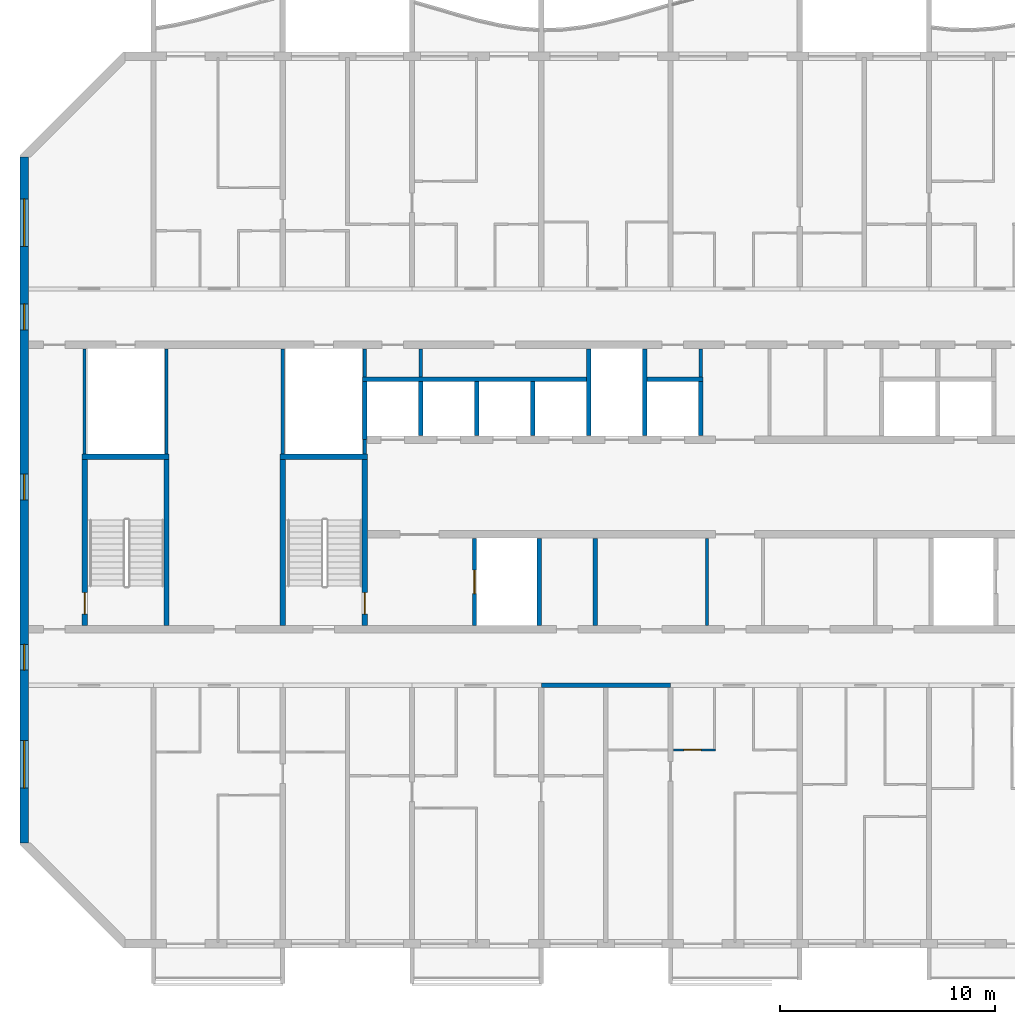
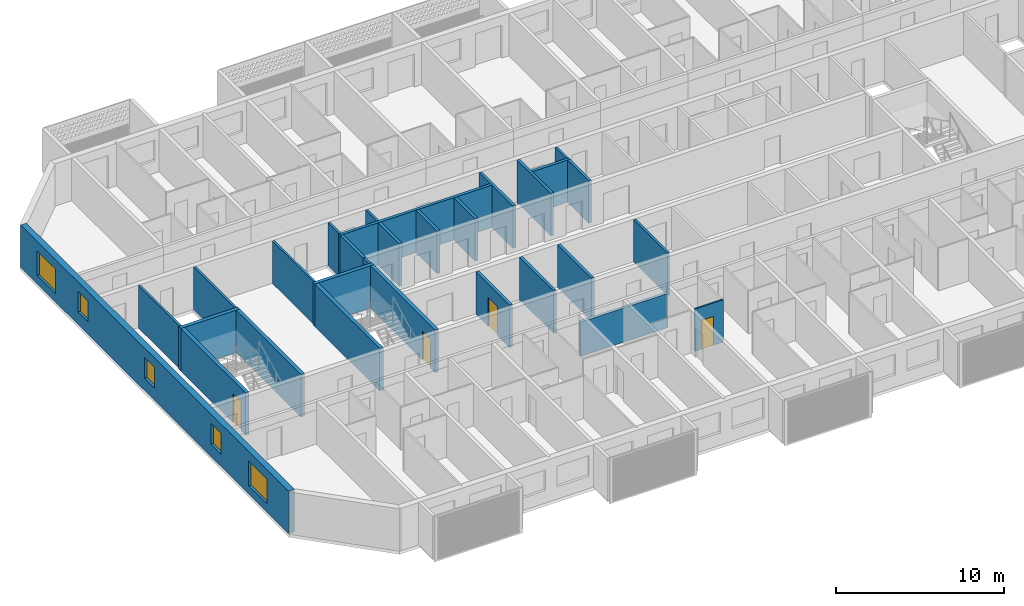
# One storey, part 3 of 29: 29 walls, 5 windows, 4 doors, 9 openings.
"""IFC4 building model written with IfcOpenShell, lengths in metres."""

from ifc_helpers import new_model, si_unit, direction, frame, frame_2d, origin, place, context, subcontext, project, spatial, rectangle, extrude, material, layer, layer_set, type_object, element, fill, save


model = new_model("IFC4")

# Units and contexts
model_context = context("Model", 3, precision=1e-05, world=origin(), true_north=direction((0.0, 1.0)))
body_context = subcontext(model_context, "Body", "Model", "MODEL_VIEW")
ifc_project = project(units=[si_unit("LENGTHUNIT", "METRE"), si_unit("AREAUNIT", "SQUARE_METRE"), si_unit("VOLUMEUNIT", "CUBIC_METRE"), si_unit("PLANEANGLEUNIT", "RADIAN"), si_unit("MASSUNIT", "GRAM", prefix="KILO")], contexts=[model_context])

# Site, building, storey
site_placement = place(None, origin())
site = spatial("IfcSite", under=ifc_project, at=site_placement, CompositionType="ELEMENT")
building_placement = place(site_placement, origin())
building = spatial("IfcBuilding", under=site, at=building_placement, Name="Poui Terraces", CompositionType="ELEMENT")
storey_placement = place(building_placement, frame((0.0, 0.0, 231.300048828125)))
storey = spatial("IfcBuildingStorey", under=building, at=storey_placement, Name="L64", CompositionType="ELEMENT", Elevation=231.300048828125)

# Walls
ifc_material_1 = material(Name="Fire-rated plasterboard wall")
ifc_layer_1 = layer(ifc_material_1, 0.14990234375)
ifc_layer_set_1 = layer_set([ifc_layer_1], Name="Fire-rated plasterboard wall")
wall_type_1 = type_object("IfcWallType", Name="CORRIDOR WALL 150", PredefinedType="PARTITIONING", material=ifc_layer_set_1)
wall_1_placement = place(storey_placement, frame((49.39990234375, 26.300048828125, 0.0), z_axis=(0.0, 0.0, 1.0), x_axis=(0.0, 1.0, 0.0)))
element("IfcWall", 1, at=wall_1_placement, inside=storey, type_object=wall_type_1, Name="CORRIDOR WALL 150", PredefinedType="PARTITIONING", context=body_context, shape_type="SweptSolid", body=[
    extrude(rectangle(XDim=1.31494140625, YDim=0.14990234375, at=frame_2d((0.657470703125, 0.0))), origin(), (0.0, 0.0, 1.0), 3.079833984375),
])
wall_2_placement = place(storey_placement, frame((49.699951171875, 14.784912109375, 0.0), z_axis=(0.0, 0.0, 1.0), x_axis=(0.0, 1.0, 0.0)))
element("IfcWall", 2, at=wall_2_placement, inside=storey, type_object=wall_type_1, Name="CORRIDOR WALL 150", PredefinedType="PARTITIONING", context=body_context, shape_type="SweptSolid", body=[
    extrude(rectangle(XDim=4.030029296875, YDim=0.14990234375, at=frame_2d((2.01513671875, 0.0))), origin(), (0.0, 0.0, 1.0), 3.079833984375),
])
ifc_material_2 = material(Name="Concrete 50 MPa", Category="concrete")
ifc_layer_2 = layer(ifc_material_2, 0.199951171875)
ifc_layer_set_2 = layer_set([ifc_layer_2], Name="Concrete 50 MPa")
wall_type_2 = type_object("IfcWallType", Name="CORRIDOR WALL 200 50MPa", PredefinedType="SHEAR", material=ifc_layer_set_2)
wall_3_placement = place(storey_placement, frame((42.0, 12.0, 0.0), z_axis=(0.0, 0.0, 1.0), x_axis=(1.0, 0.0, 0.0)))
element("IfcWall", 3, at=wall_3_placement, inside=storey, type_object=wall_type_2, Name="CORRIDOR WALL LINE B BAY 5", PredefinedType="SHEAR", context=body_context, shape_type="SweptSolid", body=[
    extrude(rectangle(XDim=6.0, YDim=0.199951171875, at=frame_2d((3.0, 0.0))), origin(), (0.0, 0.0, 1.0), 2.47998046875),
])

# Wall, openings, windows
ifc_layer_3 = layer(ifc_material_2, 0.39990234375)
ifc_layer_set_3 = layer_set([ifc_layer_3], Name="Concrete 50 MPa")
wall_type_3 = type_object("IfcWallType", Name="END WALL 400 50MPa", PredefinedType="SHEAR", material=ifc_layer_set_3)
wall_4_placement = place(storey_placement, frame((18.0, 4.682861328125, 0.0), z_axis=(0.0, 0.0, 1.0), x_axis=(0.0, 1.0, 0.0)))
wall_4 = element("IfcWall", 4, at=wall_4_placement, inside=storey, type_object=wall_type_3, Name="END WALL WEST", PredefinedType="SHEAR", context=body_context, shape_type="SweptSolid", body=[
    extrude(rectangle(XDim=31.834228515625, YDim=0.39990234375, at=frame_2d((15.9169921875, 0.0))), origin(), (0.0, 0.0, 1.0), 3.079833984375),
])
opening_1_placement = place(wall_4_placement, frame((23.817138671875, 0.0, 0.89990234375)))
opening_1 = element("IfcOpeningElement", 5, at=opening_1_placement, cuts=wall_4, Name="Opening W2", PredefinedType="OPENING", context=body_context, shape_type="SweptSolid", body=[
    extrude(rectangle(XDim=1.199951171875, YDim=1.5, at=frame_2d((0.60009765625, 0.75))), frame((0.0, 0.2099609375, 0.0), z_axis=(0.0, -1.0, 0.0), x_axis=(1.0, 0.0, 0.0)), (0.0, 0.0, 1.0), 0.419921875),
])
opening_2_placement = place(wall_4_placement, frame((8.01708984375, 0.0, 0.89990234375)))
opening_2 = element("IfcOpeningElement", 6, at=opening_2_placement, cuts=wall_4, Name="Opening W2", PredefinedType="OPENING", context=body_context, shape_type="SweptSolid", body=[
    extrude(rectangle(XDim=1.199951171875, YDim=1.5, at=frame_2d((0.60009765625, 0.75))), frame((0.0, 0.2099609375, 0.0), z_axis=(0.0, -1.0, 0.0), x_axis=(1.0, 0.0, 0.0)), (0.0, 0.0, 1.0), 0.419921875),
])
opening_3_placement = place(wall_4_placement, frame((27.693603515625, 0.0, 0.60009765625)))
opening_3 = element("IfcOpeningElement", 7, at=opening_3_placement, cuts=wall_4, Name="Opening W3", PredefinedType="OPENING", context=body_context, shape_type="SweptSolid", body=[
    extrude(rectangle(XDim=2.199951171875, YDim=1.800048828125, at=frame_2d((1.10009765625, 0.89990234375))), frame((0.0, 0.2099609375, 0.0), z_axis=(0.0, -1.0, 0.0), x_axis=(1.0, 0.0, 0.0)), (0.0, 0.0, 1.0), 0.419921875),
])
opening_4_placement = place(wall_4_placement, frame((2.541015625, 0.0, 0.60009765625)))
opening_4 = element("IfcOpeningElement", 8, at=opening_4_placement, cuts=wall_4, Name="Opening W3", PredefinedType="OPENING", context=body_context, shape_type="SweptSolid", body=[
    extrude(rectangle(XDim=2.199951171875, YDim=1.800048828125, at=frame_2d((1.10009765625, 0.89990234375))), frame((0.0, 0.2099609375, 0.0), z_axis=(0.0, -1.0, 0.0), x_axis=(1.0, 0.0, 0.0)), (0.0, 0.0, 1.0), 0.419921875),
])
opening_5_placement = place(wall_4_placement, frame((15.917236328125, 0.0, 0.89990234375)))
opening_5 = element("IfcOpeningElement", 9, at=opening_5_placement, cuts=wall_4, Name="Opening W2", PredefinedType="OPENING", context=body_context, shape_type="SweptSolid", body=[
    extrude(rectangle(XDim=1.199951171875, YDim=1.5, at=frame_2d((0.60009765625, 0.75))), frame((0.0, 0.2099609375, 0.0), z_axis=(0.0, -1.0, 0.0), x_axis=(1.0, 0.0, 0.0)), (0.0, 0.0, 1.0), 0.419921875),
])
ifc_material_3 = material(Name="Clear glass in aluminium frame", Category="aluminium")
window_type_1 = type_object("IfcWindowType", Name="WINDOW 1200X1500", PartitioningType="SINGLE_PANEL", PredefinedType="WINDOW", material=ifc_material_3)
window_1_placement = place(opening_1_placement, origin())
window_1 = element("IfcWindow", 10, at=window_1_placement, inside=storey, type_object=window_type_1, Name="W2 WINDOW", OverallHeight=1.5, OverallWidth=1.199951171875, PartitioningType="SINGLE_PANEL", PredefinedType="WINDOW", context=body_context, shape_type="SweptSolid", body=[
    extrude(rectangle(XDim=1.199951171875, YDim=1.5, at=frame_2d((0.60009765625, 0.75))), frame((0.0, 0.030029296875, 0.0), z_axis=(0.0, -1.0, 0.0), x_axis=(1.0, 0.0, 0.0)), (0.0, 0.0, 1.0), 0.06005859375),
])
fill(opening_1, window_1)
window_2_placement = place(opening_2_placement, origin())
window_2 = element("IfcWindow", 11, at=window_2_placement, inside=storey, type_object=window_type_1, Name="W2 WINDOW", OverallHeight=1.5, OverallWidth=1.199951171875, PartitioningType="SINGLE_PANEL", PredefinedType="WINDOW", context=body_context, shape_type="SweptSolid", body=[
    extrude(rectangle(XDim=1.199951171875, YDim=1.5, at=frame_2d((0.60009765625, 0.75))), frame((0.0, 0.030029296875, 0.0), z_axis=(0.0, -1.0, 0.0), x_axis=(1.0, 0.0, 0.0)), (0.0, 0.0, 1.0), 0.06005859375),
])
fill(opening_2, window_2)
window_3_placement = place(opening_5_placement, origin())
window_3 = element("IfcWindow", 12, at=window_3_placement, inside=storey, type_object=window_type_1, Name="W2 WINDOW", OverallHeight=1.5, OverallWidth=1.199951171875, PartitioningType="SINGLE_PANEL", PredefinedType="WINDOW", context=body_context, shape_type="SweptSolid", body=[
    extrude(rectangle(XDim=1.199951171875, YDim=1.5, at=frame_2d((0.60009765625, 0.75))), frame((0.0, 0.030029296875, 0.0), z_axis=(0.0, -1.0, 0.0), x_axis=(1.0, 0.0, 0.0)), (0.0, 0.0, 1.0), 0.06005859375),
])
fill(opening_5, window_3)
window_type_2 = type_object("IfcWindowType", Name="WINDOW 2200X1800", PartitioningType="DOUBLE_PANEL_HORIZONTAL", PredefinedType="WINDOW", material=ifc_material_3)
window_4_placement = place(opening_3_placement, origin())
window_4 = element("IfcWindow", 13, at=window_4_placement, inside=storey, type_object=window_type_2, Name="W3 WINDOW", OverallHeight=1.800048828125, OverallWidth=2.199951171875, PartitioningType="DOUBLE_PANEL_HORIZONTAL", PredefinedType="WINDOW", context=body_context, shape_type="SweptSolid", body=[
    extrude(rectangle(XDim=2.199951171875, YDim=1.800048828125, at=frame_2d((1.10009765625, 0.89990234375))), frame((0.0, 0.030029296875, 0.0), z_axis=(0.0, -1.0, 0.0), x_axis=(1.0, 0.0, 0.0)), (0.0, 0.0, 1.0), 0.06005859375),
])
fill(opening_3, window_4)
window_5_placement = place(opening_4_placement, origin())
window_5 = element("IfcWindow", 14, at=window_5_placement, inside=storey, type_object=window_type_2, Name="W3 WINDOW", OverallHeight=1.800048828125, OverallWidth=2.199951171875, PartitioningType="DOUBLE_PANEL_HORIZONTAL", PredefinedType="WINDOW", context=body_context, shape_type="SweptSolid", body=[
    extrude(rectangle(XDim=2.199951171875, YDim=1.800048828125, at=frame_2d((1.10009765625, 0.89990234375))), frame((0.0, 0.030029296875, 0.0), z_axis=(0.0, -1.0, 0.0), x_axis=(1.0, 0.0, 0.0)), (0.0, 0.0, 1.0), 0.06005859375),
])
fill(opening_4, window_5)

# Wall, opening, door
ifc_material_4 = material(Name="Plasterboard partition")
ifc_layer_4 = layer(ifc_material_4, 0.10009765625)
ifc_layer_set_4 = layer_set([ifc_layer_4], Name="Plasterboard partition")
wall_type_4 = type_object("IfcWallType", Name="FLAT PARTITION 100", PredefinedType="PARTITIONING", material=ifc_layer_set_4)
wall_5_placement = place(storey_placement, frame((48.135009765625, 9.0, 0.0), z_axis=(0.0, 0.0, 1.0), x_axis=(1.0, 0.0, 0.0)))
wall_5 = element("IfcWall", 15, at=wall_5_placement, inside=storey, type_object=wall_type_4, Name="FLAT PARTITION 100", PredefinedType="PARTITIONING", context=body_context, shape_type="SweptSolid", body=[
    extrude(rectangle(XDim=1.965087890625, YDim=0.10009765625, at=frame_2d((0.982421875, 0.0))), origin(), (0.0, 0.0, 1.0), 3.079833984375),
])
opening_6_placement = place(wall_5_placement, frame((0.489990234375, 0.0, 0.0)))
opening_6 = element("IfcOpeningElement", 16, at=opening_6_placement, cuts=wall_5, Name="Opening D80", PredefinedType="OPENING", context=body_context, shape_type="SweptSolid", body=[
    extrude(rectangle(XDim=0.800048828125, YDim=2.10009765625, at=frame_2d((0.39990234375, 1.050048828125))), frame((0.0, 0.06005859375, 0.0), z_axis=(0.0, -1.0, 0.0), x_axis=(1.0, 0.0, 0.0)), (0.0, 0.0, 1.0), 0.1201171875),
])
ifc_material_5 = material(Name="Solid core timber door", Category="wood")
door_type_1 = type_object("IfcDoorType", Name="BATHROOM, LAUNDRY AND STORE DOOR 800 X 2100", OperationType="NOTDEFINED", PredefinedType="DOOR", material=ifc_material_5)
door_1_placement = place(opening_6_placement, origin())
door_1 = element("IfcDoor", 17, at=door_1_placement, inside=storey, type_object=door_type_1, Name="BATHROOM, LAUNDRY AND STORE DOOR 080", OperationType="SINGLE_SWING_RIGHT", OverallHeight=2.10009765625, OverallWidth=0.800048828125, PredefinedType="DOOR", context=body_context, shape_type="SweptSolid", body=[
    extrude(rectangle(XDim=0.800048828125, YDim=2.10009765625, at=frame_2d((0.39990234375, 1.050048828125))), frame((0.0, 0.02490234375, 0.0), z_axis=(0.0, -1.0, 0.0), x_axis=(1.0, 0.0, 0.0)), (0.0, 0.0, 1.0), 0.050048828125),
])
fill(opening_6, door_1)

# Walls
ifc_layer_5 = layer(ifc_material_4, 0.14990234375)
ifc_layer_set_5 = layer_set([ifc_layer_5], Name="Plasterboard partition")
wall_type_5 = type_object("IfcWallType", Name="PARTITION WALL 150", PredefinedType="PARTITIONING", material=ifc_layer_set_5)
wall_6_placement = place(storey_placement, frame((36.39990234375, 26.300048828125, 0.0), z_axis=(0.0, 0.0, 1.0), x_axis=(0.0, 1.0, 0.0)))
element("IfcWall", 18, at=wall_6_placement, inside=storey, type_object=wall_type_5, Name="PARTITION WALL 150", PredefinedType="PARTITIONING", context=body_context, shape_type="SweptSolid", body=[
    extrude(rectangle(XDim=1.31494140625, YDim=0.14990234375, at=frame_2d((0.657470703125, 0.0))), origin(), (0.0, 0.0, 1.0), 3.079833984375),
])
ifc_material_6 = material(Name="Fire-rated masonry wall", Category="masonry")
ifc_layer_6 = layer(ifc_material_6, 0.199951171875)
ifc_layer_set_6 = layer_set([ifc_layer_6], Name="Fire-rated masonry wall")
wall_type_6 = type_object("IfcWallType", Name="PLANT ROOM WALL 200", PredefinedType="PARTITIONING", material=ifc_layer_set_6)
wall_7_placement = place(storey_placement, frame((44.5, 14.784912109375, 0.0), z_axis=(0.0, 0.0, 1.0), x_axis=(0.0, 1.0, 0.0)))
element("IfcWall", 19, at=wall_7_placement, inside=storey, type_object=wall_type_6, Name="PLANT ROOM WALL 200", PredefinedType="PARTITIONING", context=body_context, shape_type="SweptSolid", body=[
    extrude(rectangle(XDim=4.030029296875, YDim=0.199951171875, at=frame_2d((2.01513671875, 0.0))), origin(), (0.0, 0.0, 1.0), 3.079833984375),
])
ifc_material_7 = material(Name="Fire-rated plasterboard riser wall")
ifc_layer_7 = layer(ifc_material_7, 0.14990234375)
ifc_layer_set_7 = layer_set([ifc_layer_7], Name="Fire-rated plasterboard riser wall")
wall_type_7 = type_object("IfcWallType", Name="RISER WALL 150", PredefinedType="PARTITIONING", material=ifc_layer_set_7)
for number, where, z_axis, x_axis, name in (
    (20, (20.800048828125, 22.735107421875, 0.0), (0.0, 0.0, 1.0), (0.0, 1.0, 0.0), "RISER WALL 150"),
    (21, (24.60009765625, 22.735107421875, 0.0), (0.0, 0.0, 1.0), (0.0, 1.0, 0.0), "RISER WALL 150"),
    (22, (30.0, 22.735107421875, 0.0), (0.0, 0.0, 1.0), (0.0, 1.0, 0.0), "RISER WALL 150"),
):
    element("IfcWall", number, at=place(storey_placement, frame(where, z_axis=z_axis, x_axis=x_axis)), inside=storey, type_object=wall_type_7, Name=name, PredefinedType="PARTITIONING", context=body_context, shape_type="SweptSolid", body=[
        extrude(rectangle(XDim=4.8798828125, YDim=0.14990234375, at=frame_2d((2.43994140625, 0.0))), origin(), (0.0, 0.0, 1.0), 3.079833984375),
    ])
wall_8_placement = place(storey_placement, frame((33.800048828125, 22.735107421875, 0.0), z_axis=(0.0, 0.0, 1.0), x_axis=(0.0, 1.0, 0.0)))
element("IfcWall", 23, at=wall_8_placement, inside=storey, type_object=wall_type_7, Name="RISER WALL 150", PredefinedType="PARTITIONING", context=body_context, shape_type="SweptSolid", body=[
    extrude(rectangle(XDim=0.664794921875, YDim=0.14990234375, at=frame_2d((0.33251953125, 0.0))), origin(), (0.0, 0.0, 1.0), 3.079833984375),
])
wall_9_placement = place(storey_placement, frame((33.800048828125, 26.300048828125, 0.0), z_axis=(0.0, 0.0, 1.0), x_axis=(0.0, 1.0, 0.0)))
element("IfcWall", 24, at=wall_9_placement, inside=storey, type_object=wall_type_7, Name="RISER WALL 150", PredefinedType="PARTITIONING", context=body_context, shape_type="SweptSolid", body=[
    extrude(rectangle(XDim=1.31494140625, YDim=0.14990234375, at=frame_2d((0.657470703125, 0.0))), origin(), (0.0, 0.0, 1.0), 3.079833984375),
])
ifc_material_8 = material(Name="Fire-rated masonry shaft wall", Category="masonry")
ifc_layer_8 = layer(ifc_material_8, 0.199951171875)
ifc_layer_set_8 = layer_set([ifc_layer_8], Name="Fire-rated masonry shaft wall")
wall_type_8 = type_object("IfcWallType", Name="SHAFT WALL 200", PredefinedType="PARTITIONING", material=ifc_layer_set_8)
wall_10_placement = place(storey_placement, frame((33.699951171875, 26.199951171875, 0.0), z_axis=(0.0, 0.0, 1.0), x_axis=(1.0, 0.0, 0.0)))
element("IfcWall", 25, at=wall_10_placement, inside=storey, type_object=wall_type_8, Name="SHAFT WALL 200", PredefinedType="PARTITIONING", context=body_context, shape_type="SweptSolid", body=[
    extrude(rectangle(XDim=10.400146484375, YDim=0.199951171875, at=frame_2d((5.2001953125, 0.0))), origin(), (0.0, 0.0, 1.0), 3.079833984375),
])
wall_11_placement = place(storey_placement, frame((46.89990234375, 26.199951171875, 0.0), z_axis=(0.0, 0.0, 1.0), x_axis=(1.0, 0.0, 0.0)))
element("IfcWall", 26, at=wall_11_placement, inside=storey, type_object=wall_type_8, Name="SHAFT WALL 200", PredefinedType="PARTITIONING", context=body_context, shape_type="SweptSolid", body=[
    extrude(rectangle(XDim=2.60009765625, YDim=0.199951171875, at=frame_2d((1.300048828125, 0.0))), origin(), (0.0, 0.0, 1.0), 3.079833984375),
])
wall_12_placement = place(storey_placement, frame((33.800048828125, 23.39990234375, 0.0), z_axis=(0.0, 0.0, 1.0), x_axis=(0.0, 1.0, 0.0)))
element("IfcWall", 27, at=wall_12_placement, inside=storey, type_object=wall_type_8, Name="SHAFT WALL 200", PredefinedType="PARTITIONING", context=body_context, shape_type="SweptSolid", body=[
    extrude(rectangle(XDim=2.7001953125, YDim=0.199951171875, at=frame_2d((1.35009765625, 0.0))), origin(), (0.0, 0.0, 1.0), 3.079833984375),
])
wall_13_placement = place(storey_placement, frame((36.39990234375, 23.5849609375, 0.0), z_axis=(0.0, 0.0, 1.0), x_axis=(0.0, 1.0, 0.0)))
element("IfcWall", 28, at=wall_13_placement, inside=storey, type_object=wall_type_8, Name="SHAFT WALL 200", PredefinedType="PARTITIONING", context=body_context, shape_type="SweptSolid", body=[
    extrude(rectangle(XDim=2.51513671875, YDim=0.199951171875, at=frame_2d((1.257568359375, 0.0))), origin(), (0.0, 0.0, 1.0), 3.079833984375),
])

# Wall, opening, door
wall_14_placement = place(storey_placement, frame((38.89990234375, 14.784912109375, 0.0), z_axis=(0.0, 0.0, 1.0), x_axis=(0.0, 1.0, 0.0)))
wall_14 = element("IfcWall", 29, at=wall_14_placement, inside=storey, type_object=wall_type_8, Name="SHAFT WALL 200", PredefinedType="PARTITIONING", context=body_context, shape_type="SweptSolid", body=[
    extrude(rectangle(XDim=4.030029296875, YDim=0.199951171875, at=frame_2d((2.01513671875, 0.0))), origin(), (0.0, 0.0, 1.0), 3.079833984375),
])
opening_7_placement = place(wall_14_placement, frame((1.465087890625, 0.0, 0.0)))
opening_7 = element("IfcOpeningElement", 30, at=opening_7_placement, cuts=wall_14, Name="Opening LD", PredefinedType="OPENING", context=body_context, shape_type="SweptSolid", body=[
    extrude(rectangle(XDim=1.10009765625, YDim=2.10009765625, at=frame_2d((0.550048828125, 1.050048828125))), frame((0.0, 0.10986328125, 0.0), z_axis=(0.0, -1.0, 0.0), x_axis=(1.0, 0.0, 0.0)), (0.0, 0.0, 1.0), 0.219970703125),
])
ifc_material_9 = material(Name="Stainless steel sliding door", Category="steel")
door_type_2 = type_object("IfcDoorType", Name="LIFT LANDING DOOR 1100 X 2100", OperationType="DOUBLE_DOOR_SLIDING", PredefinedType="DOOR", material=ifc_material_9)
door_2_placement = place(opening_7_placement, origin())
door_2 = element("IfcDoor", 31, at=door_2_placement, inside=storey, type_object=door_type_2, Name="LANDING DOOR", OperationType="DOUBLE_DOOR_SLIDING", OverallHeight=2.10009765625, OverallWidth=1.10009765625, PredefinedType="DOOR", context=body_context, shape_type="SweptSolid", body=[
    extrude(rectangle(XDim=1.10009765625, YDim=2.10009765625, at=frame_2d((0.550048828125, 1.050048828125))), frame((0.0, 0.02490234375, 0.0), z_axis=(0.0, -1.0, 0.0), x_axis=(1.0, 0.0, 0.0)), (0.0, 0.0, 1.0), 0.050048828125),
])
fill(opening_7, door_2)

# Walls
for number, where, z_axis, x_axis, name in (
    (32, (39.0, 23.5849609375, 0.0), (0.0, 0.0, 1.0), (0.0, 1.0, 0.0), "SHAFT WALL 200"),
    (33, (41.60009765625, 23.5849609375, 0.0), (0.0, 0.0, 1.0), (0.0, 1.0, 0.0), "SHAFT WALL 200"),
):
    element("IfcWall", number, at=place(storey_placement, frame(where, z_axis=z_axis, x_axis=x_axis)), inside=storey, type_object=wall_type_8, Name=name, PredefinedType="PARTITIONING", context=body_context, shape_type="SweptSolid", body=[
        extrude(rectangle(XDim=2.51513671875, YDim=0.199951171875, at=frame_2d((1.257568359375, 0.0))), origin(), (0.0, 0.0, 1.0), 3.079833984375),
    ])
for number, where, z_axis, x_axis, name in (
    (34, (41.89990234375, 14.784912109375, 0.0), (0.0, 0.0, 1.0), (0.0, 1.0, 0.0), "SHAFT WALL 200"),
    (35, (44.199951171875, 23.5849609375, 0.0), (0.0, 0.0, 1.0), (0.0, 1.0, 0.0), "SHAFT WALL 200"),
    (36, (46.800048828125, 23.5849609375, 0.0), (0.0, 0.0, 1.0), (0.0, 1.0, 0.0), "SHAFT WALL 200"),
):
    element("IfcWall", number, at=place(storey_placement, frame(where, z_axis=z_axis, x_axis=x_axis)), inside=storey, type_object=wall_type_8, Name=name, PredefinedType="PARTITIONING", context=body_context, shape_type="SweptSolid", body=[
        extrude(rectangle(XDim=4.030029296875, YDim=0.199951171875, at=frame_2d((2.01513671875, 0.0))), origin(), (0.0, 0.0, 1.0), 3.079833984375),
    ])
wall_15_placement = place(storey_placement, frame((49.39990234375, 23.5849609375, 0.0), z_axis=(0.0, 0.0, 1.0), x_axis=(0.0, 1.0, 0.0)))
element("IfcWall", 37, at=wall_15_placement, inside=storey, type_object=wall_type_8, Name="SHAFT WALL 200", PredefinedType="PARTITIONING", context=body_context, shape_type="SweptSolid", body=[
    extrude(rectangle(XDim=2.51513671875, YDim=0.199951171875, at=frame_2d((1.257568359375, 0.0))), origin(), (0.0, 0.0, 1.0), 3.079833984375),
])
ifc_layer_9 = layer(ifc_material_2, 0.25)
ifc_layer_set_9 = layer_set([ifc_layer_9], Name="Concrete 50 MPa")
wall_type_9 = type_object("IfcWallType", Name="STAIR CORE WALL 250 50 MPA", PredefinedType="SOLIDWALL", material=ifc_layer_set_9)
wall_16_placement = place(storey_placement, frame((30.0, 14.77490234375, 0.0), z_axis=(0.0, 0.0, 1.0), x_axis=(0.0, 1.0, 0.0)))
element("IfcWall", 38, at=wall_16_placement, inside=storey, type_object=wall_type_9, Name="STAIR CORE WALL", PredefinedType="SOLIDWALL", context=body_context, shape_type="SweptSolid", body=[
    extrude(rectangle(XDim=7.7001953125, YDim=0.25, at=frame_2d((3.85009765625, 0.0))), origin(), (0.0, 0.0, 1.0), 3.079833984375),
])

# Wall, opening, door
wall_17_placement = place(storey_placement, frame((33.800048828125, 14.77490234375, 0.0), z_axis=(0.0, 0.0, 1.0), x_axis=(0.0, 1.0, 0.0)))
wall_17 = element("IfcWall", 39, at=wall_17_placement, inside=storey, type_object=wall_type_9, Name="STAIR CORE WALL", PredefinedType="SOLIDWALL", context=body_context, shape_type="SweptSolid", body=[
    extrude(rectangle(XDim=7.7001953125, YDim=0.25, at=frame_2d((3.85009765625, 0.0))), origin(), (0.0, 0.0, 1.0), 3.079833984375),
])
opening_8_placement = place(wall_17_placement, frame((0.52490234375, 0.0, 0.0)))
opening_8 = element("IfcOpeningElement", 40, at=opening_8_placement, cuts=wall_17, Name="Opening FD60S", PredefinedType="OPENING", context=body_context, shape_type="SweptSolid", body=[
    extrude(rectangle(XDim=1.0, YDim=2.10009765625, at=frame_2d((0.5, 1.050048828125))), frame((0.0, 0.135009765625, 0.0), z_axis=(0.0, -1.0, 0.0), x_axis=(1.0, 0.0, 0.0)), (0.0, 0.0, 1.0), 0.27001953125),
])
ifc_material_10 = material(Name="Steel fire door", Category="steel")
door_type_3 = type_object("IfcDoorType", Name="STAIR DOOR 1000 X 2100", OperationType="NOTDEFINED", PredefinedType="DOOR", material=ifc_material_10)
door_3_placement = place(opening_8_placement, origin())
door_3 = element("IfcDoor", 41, at=door_3_placement, inside=storey, type_object=door_type_3, Name="STAIR DOOR 102", OperationType="SINGLE_SWING_LEFT", OverallHeight=2.10009765625, OverallWidth=1.0, PredefinedType="DOOR", context=body_context, shape_type="SweptSolid", body=[
    extrude(rectangle(XDim=1.0, YDim=2.10009765625, at=frame_2d((0.5, 1.050048828125))), frame((0.0, 0.02490234375, 0.0), z_axis=(0.0, -1.0, 0.0), x_axis=(1.0, 0.0, 0.0)), (0.0, 0.0, 1.0), 0.050048828125),
])
fill(opening_8, door_3)

# Wall
wall_18_placement = place(storey_placement, frame((29.875, 22.60009765625, 0.0), z_axis=(0.0, 0.0, 1.0), x_axis=(1.0, 0.0, 0.0)))
element("IfcWall", 42, at=wall_18_placement, inside=storey, type_object=wall_type_9, Name="STAIR CORE WALL", PredefinedType="SOLIDWALL", context=body_context, shape_type="SweptSolid", body=[
    extrude(rectangle(XDim=4.050048828125, YDim=0.25, at=frame_2d((2.02490234375, 0.0))), origin(), (0.0, 0.0, 1.0), 3.079833984375),
])

# Wall, opening, door
wall_19_placement = place(storey_placement, frame((20.800048828125, 14.77490234375, 0.0), z_axis=(0.0, 0.0, 1.0), x_axis=(0.0, 1.0, 0.0)))
wall_19 = element("IfcWall", 43, at=wall_19_placement, inside=storey, type_object=wall_type_9, Name="STAIR CORE WALL", PredefinedType="SOLIDWALL", context=body_context, shape_type="SweptSolid", body=[
    extrude(rectangle(XDim=7.7001953125, YDim=0.25, at=frame_2d((3.85009765625, 0.0))), origin(), (0.0, 0.0, 1.0), 3.079833984375),
])
opening_9_placement = place(wall_19_placement, frame((0.52490234375, 0.0, 0.0)))
opening_9 = element("IfcOpeningElement", 44, at=opening_9_placement, cuts=wall_19, Name="Opening FD60S", PredefinedType="OPENING", context=body_context, shape_type="SweptSolid", body=[
    extrude(rectangle(XDim=1.0, YDim=2.10009765625, at=frame_2d((0.5, 1.050048828125))), frame((0.0, 0.135009765625, 0.0), z_axis=(0.0, -1.0, 0.0), x_axis=(1.0, 0.0, 0.0)), (0.0, 0.0, 1.0), 0.27001953125),
])
door_4_placement = place(opening_9_placement, frame((1.0, 0.0, 0.0), z_axis=(0.0, 0.0, 1.0), x_axis=(-1.0, 0.0, 0.0)))
door_4 = element("IfcDoor", 45, at=door_4_placement, inside=storey, type_object=door_type_3, Name="STAIR DOOR 116", OperationType="SINGLE_SWING_RIGHT", OverallHeight=2.10009765625, OverallWidth=1.0, PredefinedType="DOOR", context=body_context, shape_type="SweptSolid", body=[
    extrude(rectangle(XDim=1.0, YDim=2.10009765625, at=frame_2d((0.5, 1.050048828125))), frame((0.0, 0.02490234375, 0.0), z_axis=(0.0, -1.0, 0.0), x_axis=(1.0, 0.0, 0.0)), (0.0, 0.0, 1.0), 0.050048828125),
])
fill(opening_9, door_4)

# Walls
wall_20_placement = place(storey_placement, frame((24.60009765625, 14.77490234375, 0.0), z_axis=(0.0, 0.0, 1.0), x_axis=(0.0, 1.0, 0.0)))
element("IfcWall", 46, at=wall_20_placement, inside=storey, type_object=wall_type_9, Name="STAIR CORE WALL", PredefinedType="SOLIDWALL", context=body_context, shape_type="SweptSolid", body=[
    extrude(rectangle(XDim=7.7001953125, YDim=0.25, at=frame_2d((3.85009765625, 0.0))), origin(), (0.0, 0.0, 1.0), 3.079833984375),
])
wall_21_placement = place(storey_placement, frame((20.675048828125, 22.60009765625, 0.0), z_axis=(0.0, 0.0, 1.0), x_axis=(1.0, 0.0, 0.0)))
element("IfcWall", 47, at=wall_21_placement, inside=storey, type_object=wall_type_9, Name="STAIR CORE WALL", PredefinedType="SOLIDWALL", context=body_context, shape_type="SweptSolid", body=[
    extrude(rectangle(XDim=4.050048828125, YDim=0.25, at=frame_2d((2.02490234375, 0.0))), origin(), (0.0, 0.0, 1.0), 3.079833984375),
])

save(model, "model.ifc")
